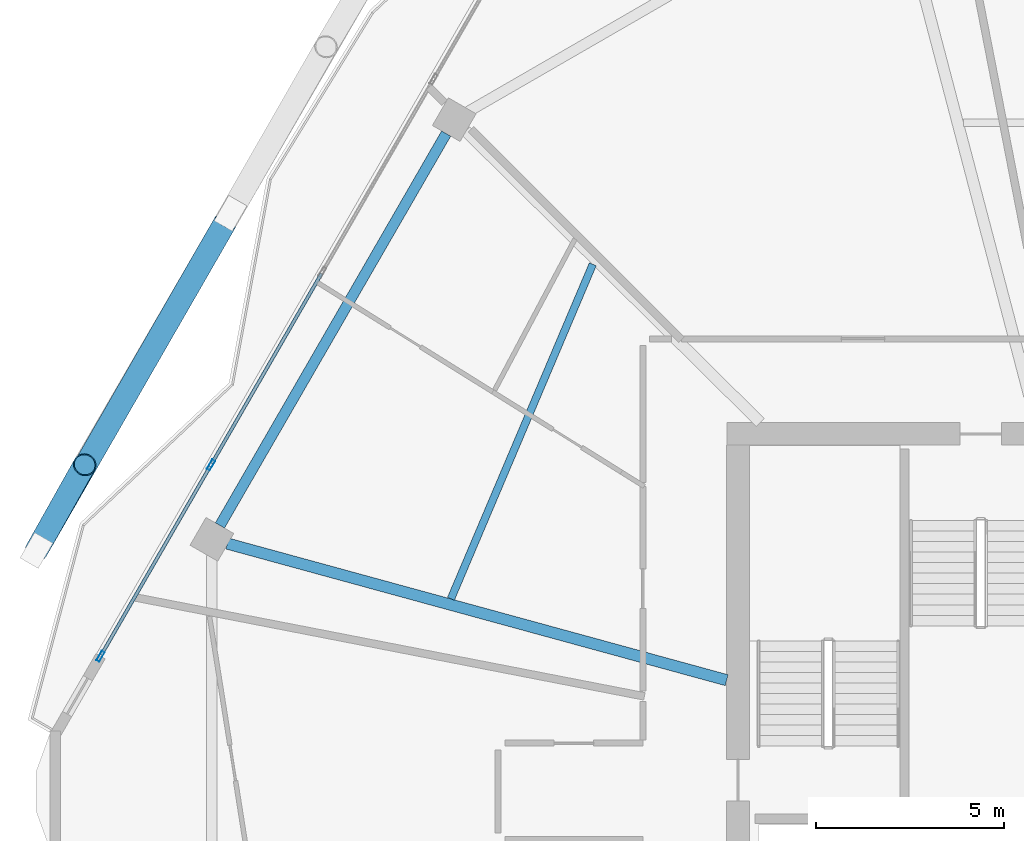
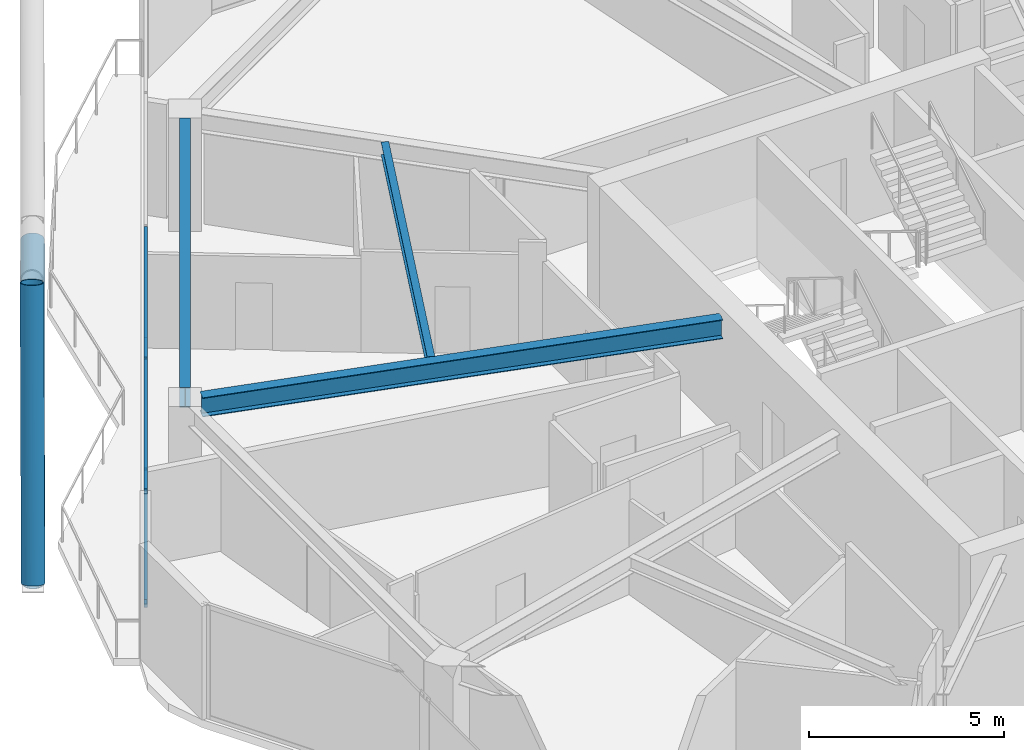
# One storey, part 12 of 29: 8 members, 3 beams, 1 element without a shape of its own.
"""IFC4 building model written with IfcOpenShell, lengths in metres."""

from ifc_helpers import new_model, si_unit, direction, frame, origin, origin_2d, place, context, subcontext, project, spatial, hollow_rectangle, hollow_circle, i_section, extrude, material, material_profile, profile_set, type_object, element, aggregate, save


model = new_model("IFC4")

# Units and contexts
model_context = context("Model", 3, precision=1e-05, world=origin(), true_north=direction((0.0, 1.0)))
body_context = subcontext(model_context, "Body", "Model", "MODEL_VIEW")
ifc_project = project(units=[si_unit("LENGTHUNIT", "METRE"), si_unit("AREAUNIT", "SQUARE_METRE"), si_unit("VOLUMEUNIT", "CUBIC_METRE"), si_unit("PLANEANGLEUNIT", "RADIAN"), si_unit("MASSUNIT", "GRAM", prefix="KILO")], contexts=[model_context])

# Site, building, storey
site_placement = place(None, origin())
site = spatial("IfcSite", under=ifc_project, at=site_placement, CompositionType="ELEMENT")
building_placement = place(site_placement, origin())
building = spatial("IfcBuilding", under=site, at=building_placement, Name="Zuhravey Tower", CompositionType="ELEMENT")
storey_placement = place(building_placement, frame((0.0, 0.0, 292.0)))
storey = spatial("IfcBuildingStorey", under=building, at=storey_placement, Name="L74", CompositionType="ELEMENT", Elevation=292.0)

# Curtain wall, members
ifc_material_1 = material(Name="Thermally broken anodised aluminium", Category="aluminium")
curtain_wall_type = type_object("IfcCurtainWallType", Name="Zone 3-4 High-Rise Curtain Wall CW4", PredefinedType="NOTDEFINED", material=ifc_material_1)
curtain_wall_placement = place(storey_placement, origin())
curtain_wall = element("IfcCurtainWall", 1, at=curtain_wall_placement, inside=storey, type_object=curtain_wall_type, Name="L74 CW4 CW-L74-F3-1", PredefinedType="NOTDEFINED")
ifc_material_2 = material(Name="Anodised aluminium", Category="aluminium")
ifc_material_profile_1 = material_profile(ifc_material_2, hollow_rectangle(XDim=0.090087890625, YDim=0.284912109375, WallThickness=0.0048828125, at=origin_2d()), Name="ALU-RHS-90x285x5")
ifc_profile_set_1 = profile_set([ifc_material_profile_1], Name="Anodised aluminium")
member_type_1 = type_object("IfcMemberType", Name="Curtain-Wall Mullion 90x180", PredefinedType="MULLION", material=ifc_profile_set_1)
member_1_placement = place(storey_placement, frame((8.5546875, 35.5908203125, 0.0), z_axis=(0.0, 0.0, 1.0), x_axis=(-0.866024971571, 0.500000748615, 0.0)))
member_1 = element("IfcMember", 2, at=member_1_placement, type_object=member_type_1, Name="CW4 mullion 1", PredefinedType="MULLION", context=body_context, shape_type="SweptSolid", body=[
    extrude(hollow_rectangle(XDim=0.090087890625, YDim=0.284912109375, WallThickness=0.0048828125, at=origin_2d()), origin(), (0.0, 0.0, 1.0), 3.550048828125),
])
member_2_placement = place(storey_placement, frame((11.4912109375, 40.676513671875, 0.0), z_axis=(0.0, 0.0, 1.0), x_axis=(-0.866024971571, 0.500000748615, 0.0)))
member_2 = element("IfcMember", 3, at=member_2_placement, type_object=member_type_1, Name="CW4 mullion 2", PredefinedType="MULLION", context=body_context, shape_type="SweptSolid", body=[
    extrude(hollow_rectangle(XDim=0.090087890625, YDim=0.284912109375, WallThickness=0.0048828125, at=origin_2d()), origin(), (0.0, 0.0, 1.0), 3.550048828125),
])
ifc_material_profile_2 = material_profile(ifc_material_2, hollow_rectangle(XDim=0.090087890625, YDim=0.14990234375, WallThickness=0.0048828125, at=origin_2d()), Name="ALU-RHS-90x150x5")
ifc_profile_set_2 = profile_set([ifc_material_profile_2], Name="Anodised aluminium")
member_type_2 = type_object("IfcMemberType", Name="Curtain-Wall Transom 90x150", PredefinedType="USERDEFINED", material=ifc_profile_set_2)
member_3_placement = place(storey_placement, frame((8.577392578125, 35.629638671875, 0.044921875), z_axis=(0.499962443074, 0.8660470862, 0.0), x_axis=(-0.8660470862, 0.499962443074, 0.0)))
member_3 = element("IfcMember", 4, at=member_3_placement, type_object=member_type_2, Name="CW4 transom 1.1", ObjectType="TRANSOM", PredefinedType="USERDEFINED", context=body_context, shape_type="SweptSolid", body=[
    extrude(hollow_rectangle(XDim=0.090087890625, YDim=0.14990234375, WallThickness=0.0048828125, at=origin_2d()), origin(), (0.0, 0.0, 1.0), 5.78271484375),
])
member_4_placement = place(storey_placement, frame((8.577392578125, 35.629638671875, 3.5048828125), z_axis=(0.499962443074, 0.8660470862, 0.0), x_axis=(-0.8660470862, 0.499962443074, 0.0)))
member_4 = element("IfcMember", 5, at=member_4_placement, type_object=member_type_2, Name="CW4 transom 1.2", ObjectType="TRANSOM", PredefinedType="USERDEFINED", context=body_context, shape_type="SweptSolid", body=[
    extrude(hollow_rectangle(XDim=0.090087890625, YDim=0.14990234375, WallThickness=0.0048828125, at=origin_2d()), origin(), (0.0, 0.0, 1.0), 5.78271484375),
])
member_5_placement = place(storey_placement, frame((11.513671875, 40.715576171875, 0.044921875), z_axis=(0.500000478697, 0.866025127409, 0.0), x_axis=(-0.866025127409, 0.500000478697, 0.0)))
member_5 = element("IfcMember", 6, at=member_5_placement, type_object=member_type_2, Name="CW4 transom 2.1", ObjectType="TRANSOM", PredefinedType="USERDEFINED", context=body_context, shape_type="SweptSolid", body=[
    extrude(hollow_rectangle(XDim=0.090087890625, YDim=0.14990234375, WallThickness=0.0048828125, at=origin_2d()), origin(), (0.0, 0.0, 1.0), 5.82763671875),
])
member_6_placement = place(storey_placement, frame((11.513671875, 40.715576171875, 3.5048828125), z_axis=(0.500000478697, 0.866025127409, 0.0), x_axis=(-0.866025127409, 0.500000478697, 0.0)))
member_6 = element("IfcMember", 7, at=member_6_placement, type_object=member_type_2, Name="CW4 transom 2.2", ObjectType="TRANSOM", PredefinedType="USERDEFINED", context=body_context, shape_type="SweptSolid", body=[
    extrude(hollow_rectangle(XDim=0.090087890625, YDim=0.14990234375, WallThickness=0.0048828125, at=origin_2d()), origin(), (0.0, 0.0, 1.0), 5.82763671875),
])
aggregate(curtain_wall, [member_1, member_2, member_3, member_4, member_5, member_6])

# Members
ifc_material_3 = material(Name="Steel SM355", Category="steel")
ifc_material_profile_3 = material_profile(ifc_material_3, hollow_circle(Radius=0.3046875, WallThickness=0.028076171875, at=origin_2d()), Name="CHS-609.6x28")
ifc_profile_set_3 = profile_set([ifc_material_profile_3], Name="Steel SM355")
member_type_3 = type_object("IfcMemberType", Name="Exoskeleton Zone 3 Diagrid CHS610x28", PredefinedType="BRACE", material=ifc_profile_set_3)
member_7_placement = place(storey_placement, frame((6.855712890625, 38.407958984375, -0.446044921875), z_axis=(0.159795415744, 0.28422652237, 0.945346872364), x_axis=(-0.871682978645, 0.490070183485, 0.0)))
element("IfcMember", 8, at=member_7_placement, inside=storey, type_object=member_type_3, Name="L74 Face 3 Diagrid Brace 4", PredefinedType="BRACE", context=body_context, shape_type="SweptSolid", body=[
    extrude(hollow_circle(Radius=0.3046875, WallThickness=0.028076171875, at=origin_2d()), origin(), (0.0, 0.0, 1.0), 8.001220703125),
])
member_8_placement = place(storey_placement, frame((6.87158203125, 38.435546875, -0.449951171875), z_axis=(0.468130177933, 0.813553055942, 0.344942838274), x_axis=(-0.866751032843, 0.498741062141, 0.0)))
element("IfcMember", 9, at=member_8_placement, inside=storey, type_object=member_type_3, Name="L74 Face 3 Split Diagrid Brace 3A", PredefinedType="BRACE", context=body_context, shape_type="SweptSolid", body=[
    extrude(hollow_circle(Radius=0.3046875, WallThickness=0.028076171875, at=origin_2d()), origin(), (0.0, 0.0, 1.0), 10.68017578125),
])

# Beams
ifc_material_profile_4 = material_profile(ifc_material_3, i_section(OverallWidth=0.280029296875, OverallDepth=0.6201171875, WebThickness=0.011962890625, FlangeThickness=0.02001953125, at=origin_2d()), Name="H-620x280x12x20")
ifc_profile_set_4 = profile_set([ifc_material_profile_4], Name="Steel SM355")
beam_type_1 = type_object("IfcBeamType", Name="Perimeter Ring Beam H620x280", PredefinedType="BEAM", material=ifc_profile_set_4)
beam_1_placement = place(storey_placement, frame((17.742431640625, 49.484130859375, 3.239990234375), z_axis=(-0.500005971936, -0.866021955858, 0.0), x_axis=(0.866021955858, -0.500005971936, 0.0)))
element("IfcBeam", 10, at=beam_1_placement, inside=storey, type_object=beam_type_1, Name="L74 PB3 BM-L74-PB-05", PredefinedType="BEAM", context=body_context, shape_type="SweptSolid", body=[
    extrude(i_section(OverallWidth=0.280029296875, OverallDepth=0.6201171875, WebThickness=0.011962890625, FlangeThickness=0.02001953125, at=origin_2d()), origin(), (0.0, 0.0, 1.0), 12.025634765625),
])
ifc_material_profile_5 = material_profile(ifc_material_3, i_section(OverallWidth=0.300048828125, OverallDepth=0.60009765625, WebThickness=0.011962890625, FlangeThickness=0.02001953125, at=origin_2d()), Name="H-600x300x12x20")
ifc_profile_set_5 = profile_set([ifc_material_profile_5], Name="Steel SM355")
beam_type_2 = type_object("IfcBeamType", Name="Radial Primary Girder H600x300", PredefinedType="BEAM", material=ifc_profile_set_5)
beam_2_placement = place(storey_placement, frame((25.197021484375, 34.95556640625, 3.25), z_axis=(-0.964549305009, 0.263902705947, 0.0), x_axis=(-0.263902705947, -0.964549305009, 0.0)))
element("IfcBeam", 11, at=beam_2_placement, inside=storey, type_object=beam_type_2, Name="L74 RG3 BM-L74-RAD-06", PredefinedType="BEAM", context=body_context, shape_type="SweptSolid", body=[
    extrude(i_section(OverallWidth=0.300048828125, OverallDepth=0.60009765625, WebThickness=0.011962890625, FlangeThickness=0.02001953125, at=origin_2d()), origin(), (0.0, 0.0, 1.0), 13.756591796875),
])
ifc_material_profile_6 = material_profile(ifc_material_3, i_section(OverallWidth=0.199951171875, OverallDepth=0.39990234375, WebThickness=0.008056640625, FlangeThickness=0.012939453125, at=origin_2d()), Name="H-400x200x8x13")
ifc_profile_set_6 = profile_set([ifc_material_profile_6], Name="Steel SM355")
beam_type_3 = type_object("IfcBeamType", Name="Secondary Floor Joist H400x200", PredefinedType="JOIST", material=ifc_profile_set_6)
beam_3_placement = place(storey_placement, frame((21.63916015625, 46.009033203125, 3.35009765625), z_axis=(-0.390413493754, -0.920639616731, 0.0), x_axis=(0.920639616731, -0.390413493754, 0.0)))
element("IfcBeam", 12, at=beam_3_placement, inside=storey, type_object=beam_type_3, Name="L74 SJ2 BM-L74-SJ-05-1", PredefinedType="JOIST", context=body_context, shape_type="SweptSolid", body=[
    extrude(i_section(OverallWidth=0.199951171875, OverallDepth=0.39990234375, WebThickness=0.008056640625, FlangeThickness=0.012939453125, at=origin_2d()), origin(), (0.0, 0.0, 1.0), 9.656494140625),
])

save(model, "model.ifc")
